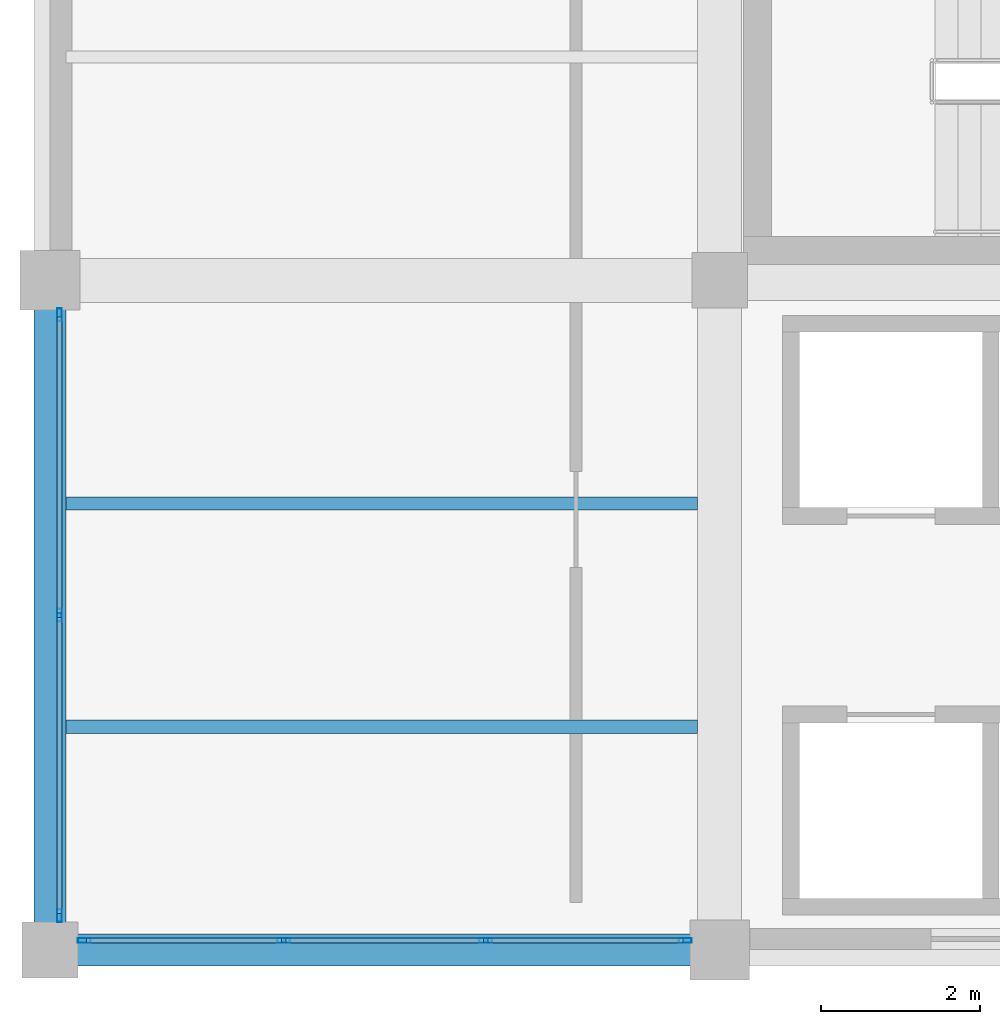
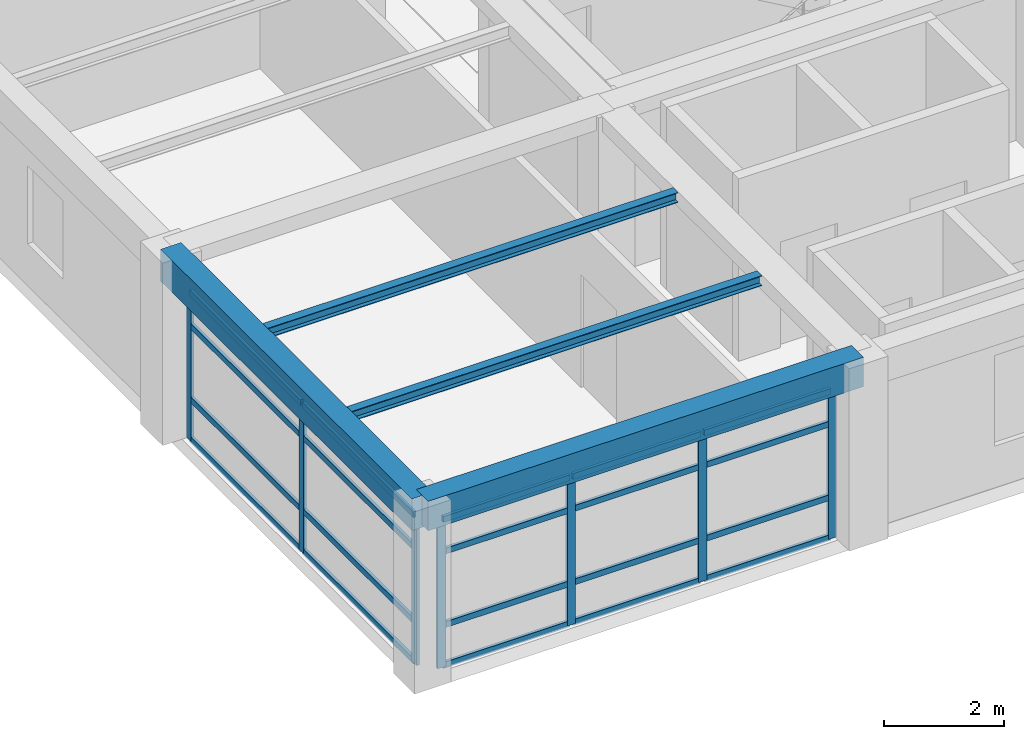
# One storey, part 2 of 26: 27 members, 4 beams, 2 elements without a shape of their own.
"""IFC4 building model written with IfcOpenShell, lengths in metres."""

import ifcopenshell
import ifcopenshell.guid

model = None  # the IFC model being written
_history = None  # IfcOwnerHistory: only IFC2X3 demands one
_inside = {}  # id of a spatial element -> (the spatial element, [elements in it])
_under = {}  # id of a project, library or spatial element -> (it, [spatial elements below it])
_declared = {}  # id of a project -> (the project, [libraries it declares])
_typed = {}  # id of a type object -> (the type object, [elements of that type])
_made_of = {}  # id of a material, layer set ... -> (it, [elements and type objects made of it])


def new_model(schema):
    """Start an empty IFC model of exactly this schema.

    Asked for "IFC4X3", IfcOpenShell would pick the latest addendum, in which some entities
    have other attributes; the version numbers below select the first issue.
    IFC2X3 requires an IfcOwnerHistory on every rooted entity: one is made here for all.
    """
    global model, _history
    if schema == "IFC4X3":
        model = ifcopenshell.file(schema_version=(4, 3, 0, 0))
    else:
        model = ifcopenshell.file(schema=schema)
    _inside.clear()
    _under.clear()
    _declared.clear()
    _typed.clear()
    _made_of.clear()
    _history = None
    if model.schema == "IFC2X3":
        org = make("IfcOrganization", Name="unknown")
        user = make(
            "IfcPersonAndOrganization",
            ThePerson=make("IfcPerson", FamilyName="unknown"),
            TheOrganization=org,
        )
        app = make(
            "IfcApplication",
            ApplicationDeveloper=org,
            Version="unknown",
            ApplicationFullName="unknown",
            ApplicationIdentifier="unknown",
        )
        _history = make(
            "IfcOwnerHistory",
            OwningUser=user,
            OwningApplication=app,
            ChangeAction="ADDED",
            CreationDate=0,
        )
    return model


def make(cls, **values):
    """One entity of the class cls with the attributes given. An attribute that is None is left unset."""
    return model.create_entity(
        cls, **{name: value for name, value in values.items() if value is not None}
    )


def rooted(cls, **values):
    """An entity with a GlobalId (a new one), such as an element, a storey or a relation."""
    return make(cls, GlobalId=ifcopenshell.guid.new(), OwnerHistory=_history, **values)


def si_unit(unit_type, name, prefix=None):
    """IfcSIUnit, for example si_unit("LENGTHUNIT", "METRE", prefix="MILLI")."""
    return make("IfcSIUnit", UnitType=unit_type, Prefix=prefix, Name=name)


def assignment(units):
    """IfcUnitAssignment: the units of a project."""
    return None if units is None else make("IfcUnitAssignment", Units=units)


def point(xyz):
    """IfcCartesianPoint."""
    return None if xyz is None else make("IfcCartesianPoint", Coordinates=xyz)


def direction(xyz):
    """IfcDirection."""
    return None if xyz is None else make("IfcDirection", DirectionRatios=xyz)


def frame(location, z_axis=None, x_axis=None):
    """IfcAxis2Placement3D, a coordinate frame: its origin and axes. An axis left out is left unset."""
    return make(
        "IfcAxis2Placement3D",
        Location=point(location),
        Axis=direction(z_axis),
        RefDirection=direction(x_axis),
    )


def frame_2d(location, x_axis=None):
    """IfcAxis2Placement2D, a coordinate frame in the plane: its origin and x axis."""
    return make(
        "IfcAxis2Placement2D", Location=point(location), RefDirection=direction(x_axis)
    )


def origin():
    """The frame at (0, 0, 0) with its axes left unset."""
    return frame((0.0, 0.0, 0.0))


def origin_2d():
    """The frame at (0, 0) in the plane with its x axis left unset."""
    return frame_2d((0.0, 0.0))


def place(relative_to, where):
    """IfcLocalPlacement: puts the frame where relative to a parent placement (None: the world)."""
    return make(
        "IfcLocalPlacement", PlacementRelTo=relative_to, RelativePlacement=where
    )


def context(
    kind, dimensions, precision=None, world=None, true_north=None, identifier=None
):
    """IfcGeometricRepresentationContext, for example the 3D "Model" context."""
    return make(
        "IfcGeometricRepresentationContext",
        ContextIdentifier=identifier,
        ContextType=kind,
        CoordinateSpaceDimension=dimensions,
        Precision=precision,
        WorldCoordinateSystem=world,
        TrueNorth=true_north,
    )


def subcontext(parent, identifier, kind, view, scale=None):
    """IfcGeometricRepresentationSubContext, for example "Body" below "Model"."""
    return make(
        "IfcGeometricRepresentationSubContext",
        ContextIdentifier=identifier,
        ContextType=kind,
        ParentContext=parent,
        TargetScale=scale,
        TargetView=view,
    )


def project(units=None, contexts=None):
    """IfcProject with its units and contexts."""
    return rooted(
        "IfcProject",
        Name="project",
        RepresentationContexts=contexts,
        UnitsInContext=assignment(units),
    )


def spatial(cls, under=None, at=None, **own):
    """A site, building, storey or space (cls), placed at a placement, below another one or the project."""
    s = rooted(cls, ObjectPlacement=at, **own)
    if under is not None:
        _under.setdefault(under.id(), (under, []))[1].append(s)
    return s


def profile(cls, at=None, kind="AREA", **sizes):
    """A parametric profile (cls). Its sizes go by their IFC names, for example OverallWidth=200.0."""
    return make(cls, ProfileType=kind, Position=at, **sizes)


def rectangle(**sizes):
    """IfcRectangleProfileDef."""
    return profile("IfcRectangleProfileDef", **sizes)


def hollow_rectangle(**sizes):
    """IfcRectangleHollowProfileDef."""
    return profile("IfcRectangleHollowProfileDef", **sizes)


def i_section(**sizes):
    """IfcIShapeProfileDef."""
    return profile("IfcIShapeProfileDef", **sizes)


def extrude(swept, where, along, depth):
    """IfcExtrudedAreaSolid: the profile swept, set in the frame where, extruded along a direction by depth."""
    return make(
        "IfcExtrudedAreaSolid",
        SweptArea=swept,
        Position=where,
        ExtrudedDirection=direction(along),
        Depth=depth,
    )


def shape(context_of_items, identifier, shape_type, items):
    """IfcShapeRepresentation: the items that make up one representation, for example the "Body"."""
    return make(
        "IfcShapeRepresentation",
        ContextOfItems=context_of_items,
        RepresentationIdentifier=identifier,
        RepresentationType=shape_type,
        Items=items,
    )


def material(Name=None, Category=None):
    """IfcMaterial."""
    return make("IfcMaterial", Name=Name, Category=Category)


def material_profile(
    of_material, cross_section, Name=None, Category=None, Priority=None
):
    """IfcMaterialProfile: a cross section and its material."""
    return make(
        "IfcMaterialProfile",
        Name=Name,
        Material=of_material,
        Profile=cross_section,
        Priority=Priority,
        Category=Category,
    )


def profile_set(profiles, Name=None, composite=None):
    """IfcMaterialProfileSet."""
    return make(
        "IfcMaterialProfileSet",
        Name=Name,
        MaterialProfiles=profiles,
        CompositeProfile=composite,
    )


def made_of(thing, what):
    """Note that an element or type object is made of a material, layer set ...; save() writes the relation."""
    if what is not None:
        _made_of.setdefault(what.id(), (what, []))[1].append(thing)
    return thing


def type_object(cls, material=None, **own):
    """A type object (cls), such as IfcWallType, which elements share."""
    return made_of(rooted(cls, **own), material)


def element(
    cls,
    number,
    at=None,
    inside=None,
    cuts=None,
    type_object=None,
    material=None,
    context=None,
    identifier="Body",
    shape_type=None,
    held_by="IfcProductDefinitionShape",
    body=None,
    shapes=None,
    **own,
):
    """One element of the class cls, such as IfcWall. Its Tag is "e" and its number.

    at: its placement. inside: the storey or other place that contains it. cuts: it is an
    opening in that element (IfcRelVoidsElement). A single representation is given by context,
    identifier, shape_type and body (its items); several are given by shapes. held_by: the class
    of the entity that holds the representations. save() writes the other relations.
    """
    e = rooted(cls, Tag="e%d" % number, ObjectPlacement=at, **own)
    if body is not None:
        shapes = [shape(context, identifier, shape_type, body)]
    if shapes is not None:
        e.Representation = make(held_by, Representations=shapes)
    if inside is not None:
        _inside.setdefault(inside.id(), (inside, []))[1].append(e)
    if cuts is not None:
        rooted(
            "IfcRelVoidsElement", RelatingBuildingElement=cuts, RelatedOpeningElement=e
        )
    if type_object is not None:
        _typed.setdefault(type_object.id(), (type_object, []))[1].append(e)
    return made_of(e, material)


def aggregate(whole, parts):
    """IfcRelAggregates: a whole, such as a stair, and the parts it consists of."""
    return rooted("IfcRelAggregates", RelatingObject=whole, RelatedObjects=parts)


def save(model, path):
    """Write the relations noted so far, then the file.

    IfcRelAggregates (storeys below a building ...), IfcRelContainedInSpatialStructure (elements
    in a storey), IfcRelDefinesByType, IfcRelAssociatesMaterial and IfcRelDeclares: one each for
    every whole, place, type object, material and project.
    """
    for whole, parts in _under.values():
        aggregate(whole, parts)
    for where, things in _inside.values():
        rooted(
            "IfcRelContainedInSpatialStructure",
            RelatedElements=things,
            RelatingStructure=where,
        )
    for kind, things in _typed.values():
        rooted("IfcRelDefinesByType", RelatedObjects=things, RelatingType=kind)
    for what, things in _made_of.values():
        rooted("IfcRelAssociatesMaterial", RelatedObjects=things, RelatingMaterial=what)
    for by, libraries in _declared.values():
        rooted("IfcRelDeclares", RelatingContext=by, RelatedDefinitions=libraries)
    model.write(path)


model = new_model("IFC4")

# Units and contexts
model_context = context("Model", 3, precision=1e-05, world=origin(), true_north=direction((0.0, 1.0)))
body_context = subcontext(model_context, "Body", "Model", "MODEL_VIEW")
ifc_project = project(units=[si_unit("LENGTHUNIT", "METRE"), si_unit("AREAUNIT", "SQUARE_METRE"), si_unit("VOLUMEUNIT", "CUBIC_METRE"), si_unit("PLANEANGLEUNIT", "RADIAN"), si_unit("MASSUNIT", "GRAM", prefix="KILO")], contexts=[model_context])

# Site, building, storey
site_placement = place(None, origin())
site = spatial("IfcSite", under=ifc_project, at=site_placement, CompositionType="ELEMENT")
building_placement = place(site_placement, origin())
building = spatial("IfcBuilding", under=site, at=building_placement, Name="Almacenes y Pasaje Nevantli", CompositionType="ELEMENT")
storey_placement = place(building_placement, frame((0.0, 0.0, 38.699951171875)))
storey = spatial("IfcBuildingStorey", under=building, at=storey_placement, Name="L09", CompositionType="ELEMENT", Elevation=38.699951171875)

# Beams
ifc_material_1 = material(Name="Concrete C35/45", Category="concrete")
ifc_material_profile_1 = material_profile(ifc_material_1, rectangle(XDim=0.39990234375, YDim=0.60009765625, at=origin_2d()), Name="RC-BM-400x600")
ifc_profile_set_1 = profile_set([ifc_material_profile_1], Name="Concrete C35/45")
beam_type_1 = type_object("IfcBeamType", Name="BM-RC-400x600", PredefinedType="SPANDREL", material=ifc_profile_set_1)
beam_1_placement = place(storey_placement, frame((109.199951171875, 67.199951171875, 3.420166015625), z_axis=(1.0, 0.0, 0.0), x_axis=(0.0, 1.0, 0.0)))
element("IfcBeam", 1, at=beam_1_placement, inside=storey, type_object=beam_type_1, Name="L09 East-West Reinforced Concrete Beam #3741", PredefinedType="SPANDREL", context=body_context, shape_type="SweptSolid", body=[
    extrude(rectangle(XDim=0.39990234375, YDim=0.60009765625, at=origin_2d()), origin(), (0.0, 0.0, 1.0), 8.400146484375),
])
ifc_material_2 = material(Name="Concrete C35/45", Category="concrete")
ifc_material_profile_2 = material_profile(ifc_material_2, rectangle(XDim=0.39990234375, YDim=0.64990234375, at=origin_2d()), Name="RC-BM-400x650")
ifc_profile_set_2 = profile_set([ifc_material_profile_2], Name="Concrete C35/45")
beam_type_2 = type_object("IfcBeamType", Name="BM-RC-400x650", PredefinedType="SPANDREL", material=ifc_profile_set_2)
beam_2_placement = place(storey_placement, frame((109.199951171875, 67.199951171875, 3.39501953125), z_axis=(0.0, 1.0, 0.0), x_axis=(-1.0, 0.0, 0.0)))
element("IfcBeam", 2, at=beam_2_placement, inside=storey, type_object=beam_type_2, Name="L09 North-South Reinforced Concrete Beam #3771", PredefinedType="SPANDREL", context=body_context, shape_type="SweptSolid", body=[
    extrude(rectangle(XDim=0.39990234375, YDim=0.64990234375, at=origin_2d()), origin(), (0.0, 0.0, 1.0), 8.400146484375),
])
ifc_material_3 = material(Name="Steel ASTM A992", Category="steel")
ifc_material_profile_3 = material_profile(ifc_material_3, i_section(OverallWidth=0.166015625, OverallDepth=0.205078125, WebThickness=0.007080078125, FlangeThickness=0.01171875, at=origin_2d()), Name="IR 203x41.7")
ifc_profile_set_3 = profile_set([ifc_material_profile_3], Name="Steel ASTM A992")
beam_type_3 = type_object("IfcBeamType", Name="BM-STL-IR-203x41p7", PredefinedType="JOIST", material=ifc_profile_set_3)
for number, where, z_axis, x_axis, name in (
    (3, (109.39990234375, 70.0, 3.609619140625), (1.0, 0.0, 0.0), (0.0, 1.0, 0.0), "L09 Secondary Steel Floor Joist #1455"),
    (4, (109.39990234375, 72.800048828125, 3.609619140625), (1.0, 0.0, 0.0), (0.0, 1.0, 0.0), "L09 Secondary Steel Floor Joist #1456"),
):
    element("IfcBeam", number, at=place(storey_placement, frame(where, z_axis=z_axis, x_axis=x_axis)), inside=storey, type_object=beam_type_3, Name=name, PredefinedType="JOIST", context=body_context, shape_type="SweptSolid", body=[
        extrude(i_section(OverallWidth=0.166015625, OverallDepth=0.205078125, WebThickness=0.007080078125, FlangeThickness=0.01171875, at=origin_2d()), origin(), (0.0, 0.0, 1.0), 7.925048828125),
    ])

# Curtain wall, members
ifc_material_4 = material(Name="Thermally Broken Aluminium and Low-E Glass", Category="aluminium")
curtain_wall_type = type_object("IfcCurtainWallType", Name="CW-UNIT-TOWER", PredefinedType="USERDEFINED", material=ifc_material_4)
curtain_wall_1_placement = place(storey_placement, origin())
curtain_wall_1 = element("IfcCurtainWall", 5, at=curtain_wall_1_placement, inside=storey, type_object=curtain_wall_type, Name="L09 Tower South Unitized Curtain Wall Bay 14", ObjectType="UNITIZED CURTAIN WALL", PredefinedType="USERDEFINED")
ifc_material_5 = material(Name="Thermally Broken Anodized Aluminium", Category="aluminium")
ifc_material_profile_4 = material_profile(ifc_material_5, hollow_rectangle(XDim=0.06005859375, YDim=0.159912109375, WallThickness=0.00390625, at=origin_2d()), Name="ALU-MUL-60x160")
ifc_profile_set_4 = profile_set([ifc_material_profile_4], Name="Thermally Broken Anodized Aluminium")
member_type_1 = type_object("IfcMemberType", Name="CW-MUL-180", PredefinedType="MULLION", material=ifc_profile_set_4)
member_1_placement = place(storey_placement, frame((109.6298828125, 67.320068359375, 0.0), z_axis=(0.0, 0.0, 1.0), x_axis=(0.0, 1.0, 0.0)))
member_1 = element("IfcMember", 6, at=member_1_placement, type_object=member_type_1, Name="CW-L09-131 mullion 1", PredefinedType="MULLION", context=body_context, shape_type="SweptSolid", body=[
    extrude(hollow_rectangle(XDim=0.06005859375, YDim=0.159912109375, WallThickness=0.00390625, at=origin_2d()), origin(), (0.0, 0.0, 1.0), 3.0400390625),
])
member_2_placement = place(storey_placement, frame((112.13330078125, 67.320068359375, 0.0), z_axis=(0.0, 0.0, 1.0), x_axis=(0.0, 1.0, 0.0)))
member_2 = element("IfcMember", 7, at=member_2_placement, type_object=member_type_1, Name="CW-L09-131 mullion 2", PredefinedType="MULLION", context=body_context, shape_type="SweptSolid", body=[
    extrude(hollow_rectangle(XDim=0.06005859375, YDim=0.159912109375, WallThickness=0.00390625, at=origin_2d()), origin(), (0.0, 0.0, 1.0), 3.0400390625),
])
member_3_placement = place(storey_placement, frame((114.666748046875, 67.320068359375, 0.0), z_axis=(0.0, 0.0, 1.0), x_axis=(0.0, 1.0, 0.0)))
member_3 = element("IfcMember", 8, at=member_3_placement, type_object=member_type_1, Name="CW-L09-131 mullion 3", PredefinedType="MULLION", context=body_context, shape_type="SweptSolid", body=[
    extrude(hollow_rectangle(XDim=0.06005859375, YDim=0.159912109375, WallThickness=0.00390625, at=origin_2d()), origin(), (0.0, 0.0, 1.0), 3.0400390625),
])
member_4_placement = place(storey_placement, frame((117.169921875, 67.320068359375, 0.0), z_axis=(0.0, 0.0, 1.0), x_axis=(0.0, 1.0, 0.0)))
member_4 = element("IfcMember", 9, at=member_4_placement, type_object=member_type_1, Name="CW-L09-131 mullion 4", PredefinedType="MULLION", context=body_context, shape_type="SweptSolid", body=[
    extrude(hollow_rectangle(XDim=0.06005859375, YDim=0.159912109375, WallThickness=0.00390625, at=origin_2d()), origin(), (0.0, 0.0, 1.0), 3.0400390625),
])

curtain_wall_2_placement = place(storey_placement, origin())
curtain_wall_2 = element("IfcCurtainWall", 10, at=curtain_wall_2_placement, inside=storey, type_object=curtain_wall_type, Name="L09 Tower West Curtain Wall Bay 9", ObjectType="UNITIZED CURTAIN WALL", PredefinedType="USERDEFINED")
member_5_placement = place(storey_placement, frame((109.320068359375, 67.6298828125, 0.0), z_axis=(0.0, 0.0, 1.0), x_axis=(-1.0, 0.0, 0.0)))
member_5 = element("IfcMember", 11, at=member_5_placement, type_object=member_type_1, Name="CW-L09-137 mullion 1", PredefinedType="MULLION", context=body_context, shape_type="SweptSolid", body=[
    extrude(hollow_rectangle(XDim=0.06005859375, YDim=0.159912109375, WallThickness=0.00390625, at=origin_2d()), origin(), (0.0, 0.0, 1.0), 3.0400390625),
])
member_6_placement = place(storey_placement, frame((109.320068359375, 71.39990234375, 0.0), z_axis=(0.0, 0.0, 1.0), x_axis=(-1.0, 0.0, 0.0)))
member_6 = element("IfcMember", 12, at=member_6_placement, type_object=member_type_1, Name="CW-L09-137 mullion 2", PredefinedType="MULLION", context=body_context, shape_type="SweptSolid", body=[
    extrude(hollow_rectangle(XDim=0.06005859375, YDim=0.159912109375, WallThickness=0.00390625, at=origin_2d()), origin(), (0.0, 0.0, 1.0), 3.0400390625),
])
member_7_placement = place(storey_placement, frame((109.320068359375, 75.169921875, 0.0), z_axis=(0.0, 0.0, 1.0), x_axis=(-1.0, 0.0, 0.0)))
member_7 = element("IfcMember", 13, at=member_7_placement, type_object=member_type_1, Name="CW-L09-137 mullion 3", PredefinedType="MULLION", context=body_context, shape_type="SweptSolid", body=[
    extrude(hollow_rectangle(XDim=0.06005859375, YDim=0.159912109375, WallThickness=0.00390625, at=origin_2d()), origin(), (0.0, 0.0, 1.0), 3.0400390625),
])

# Member
ifc_material_6 = material(Name="Thermally Broken Anodized Aluminium", Category="aluminium")
ifc_material_profile_5 = material_profile(ifc_material_6, hollow_rectangle(XDim=0.06005859375, YDim=0.1201171875, WallThickness=0.00341796875, at=origin_2d()), Name="ALU-TRN-60x120")
ifc_profile_set_5 = profile_set([ifc_material_profile_5], Name="Thermally Broken Anodized Aluminium")
member_type_2 = type_object("IfcMemberType", Name="CW-TRN-130", PredefinedType="USERDEFINED", material=ifc_profile_set_5)
member_8_placement = place(storey_placement, frame((109.659912109375, 67.320068359375, 0.030029296875), z_axis=(1.0, 0.0, 0.0), x_axis=(0.0, 1.0, 0.0)))
member_8 = element("IfcMember", 14, at=member_8_placement, type_object=member_type_2, Name="CW-L09-131 transom 1.1", ObjectType="TRANSOM", PredefinedType="USERDEFINED", context=body_context, shape_type="SweptSolid", body=[
    extrude(hollow_rectangle(XDim=0.06005859375, YDim=0.1201171875, WallThickness=0.00341796875, at=origin_2d()), origin(), (0.0, 0.0, 1.0), 2.443359375),
])

member_9_placement = place(storey_placement, frame((109.659912109375, 67.320068359375, 0.85009765625), z_axis=(1.0, 0.0, 0.0), x_axis=(0.0, 1.0, 0.0)))
member_9 = element("IfcMember", 15, at=member_9_placement, type_object=member_type_2, Name="CW-L09-131 transom 1.2", ObjectType="TRANSOM", PredefinedType="USERDEFINED", context=body_context, shape_type="SweptSolid", body=[
    extrude(hollow_rectangle(XDim=0.06005859375, YDim=0.1201171875, WallThickness=0.00341796875, at=origin_2d()), origin(), (0.0, 0.0, 1.0), 2.443359375),
])

member_10_placement = place(storey_placement, frame((109.659912109375, 67.320068359375, 2.35009765625), z_axis=(1.0, 0.0, 0.0), x_axis=(0.0, 1.0, 0.0)))
member_10 = element("IfcMember", 16, at=member_10_placement, type_object=member_type_2, Name="CW-L09-131 transom 1.3", ObjectType="TRANSOM", PredefinedType="USERDEFINED", context=body_context, shape_type="SweptSolid", body=[
    extrude(hollow_rectangle(XDim=0.06005859375, YDim=0.1201171875, WallThickness=0.00341796875, at=origin_2d()), origin(), (0.0, 0.0, 1.0), 2.443359375),
])

member_11_placement = place(storey_placement, frame((109.659912109375, 67.320068359375, 3.010009765625), z_axis=(1.0, 0.0, 0.0), x_axis=(0.0, 1.0, 0.0)))
member_11 = element("IfcMember", 17, at=member_11_placement, type_object=member_type_2, Name="CW-L09-131 transom 1.4", ObjectType="TRANSOM", PredefinedType="USERDEFINED", context=body_context, shape_type="SweptSolid", body=[
    extrude(hollow_rectangle(XDim=0.06005859375, YDim=0.1201171875, WallThickness=0.00341796875, at=origin_2d()), origin(), (0.0, 0.0, 1.0), 2.443359375),
])

member_12_placement = place(storey_placement, frame((112.163330078125, 67.320068359375, 0.030029296875), z_axis=(1.0, 0.0, 0.0), x_axis=(0.0, 1.0, 0.0)))
member_12 = element("IfcMember", 18, at=member_12_placement, type_object=member_type_2, Name="CW-L09-131 transom 2.1", ObjectType="TRANSOM", PredefinedType="USERDEFINED", context=body_context, shape_type="SweptSolid", body=[
    extrude(hollow_rectangle(XDim=0.06005859375, YDim=0.1201171875, WallThickness=0.00341796875, at=origin_2d()), origin(), (0.0, 0.0, 1.0), 2.473388671875),
])

member_13_placement = place(storey_placement, frame((112.163330078125, 67.320068359375, 0.85009765625), z_axis=(1.0, 0.0, 0.0), x_axis=(0.0, 1.0, 0.0)))
member_13 = element("IfcMember", 19, at=member_13_placement, type_object=member_type_2, Name="CW-L09-131 transom 2.2", ObjectType="TRANSOM", PredefinedType="USERDEFINED", context=body_context, shape_type="SweptSolid", body=[
    extrude(hollow_rectangle(XDim=0.06005859375, YDim=0.1201171875, WallThickness=0.00341796875, at=origin_2d()), origin(), (0.0, 0.0, 1.0), 2.473388671875),
])

member_14_placement = place(storey_placement, frame((112.163330078125, 67.320068359375, 2.35009765625), z_axis=(1.0, 0.0, 0.0), x_axis=(0.0, 1.0, 0.0)))
member_14 = element("IfcMember", 20, at=member_14_placement, type_object=member_type_2, Name="CW-L09-131 transom 2.3", ObjectType="TRANSOM", PredefinedType="USERDEFINED", context=body_context, shape_type="SweptSolid", body=[
    extrude(hollow_rectangle(XDim=0.06005859375, YDim=0.1201171875, WallThickness=0.00341796875, at=origin_2d()), origin(), (0.0, 0.0, 1.0), 2.473388671875),
])

member_15_placement = place(storey_placement, frame((112.163330078125, 67.320068359375, 3.010009765625), z_axis=(1.0, 0.0, 0.0), x_axis=(0.0, 1.0, 0.0)))
member_15 = element("IfcMember", 21, at=member_15_placement, type_object=member_type_2, Name="CW-L09-131 transom 2.4", ObjectType="TRANSOM", PredefinedType="USERDEFINED", context=body_context, shape_type="SweptSolid", body=[
    extrude(hollow_rectangle(XDim=0.06005859375, YDim=0.1201171875, WallThickness=0.00341796875, at=origin_2d()), origin(), (0.0, 0.0, 1.0), 2.473388671875),
])

member_16_placement = place(storey_placement, frame((114.69677734375, 67.320068359375, 0.030029296875), z_axis=(1.0, 0.0, 0.0), x_axis=(0.0, 1.0, 0.0)))
member_16 = element("IfcMember", 22, at=member_16_placement, type_object=member_type_2, Name="CW-L09-131 transom 3.1", ObjectType="TRANSOM", PredefinedType="USERDEFINED", context=body_context, shape_type="SweptSolid", body=[
    extrude(hollow_rectangle(XDim=0.06005859375, YDim=0.1201171875, WallThickness=0.00341796875, at=origin_2d()), origin(), (0.0, 0.0, 1.0), 2.443115234375),
])

member_17_placement = place(storey_placement, frame((114.69677734375, 67.320068359375, 0.85009765625), z_axis=(1.0, 0.0, 0.0), x_axis=(0.0, 1.0, 0.0)))
member_17 = element("IfcMember", 23, at=member_17_placement, type_object=member_type_2, Name="CW-L09-131 transom 3.2", ObjectType="TRANSOM", PredefinedType="USERDEFINED", context=body_context, shape_type="SweptSolid", body=[
    extrude(hollow_rectangle(XDim=0.06005859375, YDim=0.1201171875, WallThickness=0.00341796875, at=origin_2d()), origin(), (0.0, 0.0, 1.0), 2.443115234375),
])

member_18_placement = place(storey_placement, frame((114.69677734375, 67.320068359375, 2.35009765625), z_axis=(1.0, 0.0, 0.0), x_axis=(0.0, 1.0, 0.0)))
member_18 = element("IfcMember", 24, at=member_18_placement, type_object=member_type_2, Name="CW-L09-131 transom 3.3", ObjectType="TRANSOM", PredefinedType="USERDEFINED", context=body_context, shape_type="SweptSolid", body=[
    extrude(hollow_rectangle(XDim=0.06005859375, YDim=0.1201171875, WallThickness=0.00341796875, at=origin_2d()), origin(), (0.0, 0.0, 1.0), 2.443115234375),
])

member_19_placement = place(storey_placement, frame((114.69677734375, 67.320068359375, 3.010009765625), z_axis=(1.0, 0.0, 0.0), x_axis=(0.0, 1.0, 0.0)))
member_19 = element("IfcMember", 25, at=member_19_placement, type_object=member_type_2, Name="CW-L09-131 transom 3.4", ObjectType="TRANSOM", PredefinedType="USERDEFINED", context=body_context, shape_type="SweptSolid", body=[
    extrude(hollow_rectangle(XDim=0.06005859375, YDim=0.1201171875, WallThickness=0.00341796875, at=origin_2d()), origin(), (0.0, 0.0, 1.0), 2.443115234375),
])

aggregate(curtain_wall_1, [member_1, member_2, member_3, member_4, member_8, member_9, member_10, member_11, member_12, member_13, member_14, member_15, member_16, member_17, member_18, member_19])

member_20_placement = place(storey_placement, frame((109.320068359375, 67.659912109375, 0.030029296875), z_axis=(0.0, 1.0, 0.0), x_axis=(-1.0, 0.0, 0.0)))
member_20 = element("IfcMember", 26, at=member_20_placement, type_object=member_type_2, Name="CW-L09-137 transom 1.1", ObjectType="TRANSOM", PredefinedType="USERDEFINED", context=body_context, shape_type="SweptSolid", body=[
    extrude(hollow_rectangle(XDim=0.06005859375, YDim=0.1201171875, WallThickness=0.00341796875, at=origin_2d()), origin(), (0.0, 0.0, 1.0), 3.710205078125),
])

member_21_placement = place(storey_placement, frame((109.320068359375, 67.659912109375, 0.85009765625), z_axis=(0.0, 1.0, 0.0), x_axis=(-1.0, 0.0, 0.0)))
member_21 = element("IfcMember", 27, at=member_21_placement, type_object=member_type_2, Name="CW-L09-137 transom 1.2", ObjectType="TRANSOM", PredefinedType="USERDEFINED", context=body_context, shape_type="SweptSolid", body=[
    extrude(hollow_rectangle(XDim=0.06005859375, YDim=0.1201171875, WallThickness=0.00341796875, at=origin_2d()), origin(), (0.0, 0.0, 1.0), 3.710205078125),
])

member_22_placement = place(storey_placement, frame((109.320068359375, 67.659912109375, 2.35009765625), z_axis=(0.0, 1.0, 0.0), x_axis=(-1.0, 0.0, 0.0)))
member_22 = element("IfcMember", 28, at=member_22_placement, type_object=member_type_2, Name="CW-L09-137 transom 1.3", ObjectType="TRANSOM", PredefinedType="USERDEFINED", context=body_context, shape_type="SweptSolid", body=[
    extrude(hollow_rectangle(XDim=0.06005859375, YDim=0.1201171875, WallThickness=0.00341796875, at=origin_2d()), origin(), (0.0, 0.0, 1.0), 3.710205078125),
])

member_23_placement = place(storey_placement, frame((109.320068359375, 67.659912109375, 3.010009765625), z_axis=(0.0, 1.0, 0.0), x_axis=(-1.0, 0.0, 0.0)))
member_23 = element("IfcMember", 29, at=member_23_placement, type_object=member_type_2, Name="CW-L09-137 transom 1.4", ObjectType="TRANSOM", PredefinedType="USERDEFINED", context=body_context, shape_type="SweptSolid", body=[
    extrude(hollow_rectangle(XDim=0.06005859375, YDim=0.1201171875, WallThickness=0.00341796875, at=origin_2d()), origin(), (0.0, 0.0, 1.0), 3.710205078125),
])

member_24_placement = place(storey_placement, frame((109.320068359375, 71.429931640625, 0.030029296875), z_axis=(0.0, 1.0, 0.0), x_axis=(-1.0, 0.0, 0.0)))
member_24 = element("IfcMember", 30, at=member_24_placement, type_object=member_type_2, Name="CW-L09-137 transom 2.1", ObjectType="TRANSOM", PredefinedType="USERDEFINED", context=body_context, shape_type="SweptSolid", body=[
    extrude(hollow_rectangle(XDim=0.06005859375, YDim=0.1201171875, WallThickness=0.00341796875, at=origin_2d()), origin(), (0.0, 0.0, 1.0), 3.7099609375),
])

member_25_placement = place(storey_placement, frame((109.320068359375, 71.429931640625, 0.85009765625), z_axis=(0.0, 1.0, 0.0), x_axis=(-1.0, 0.0, 0.0)))
member_25 = element("IfcMember", 31, at=member_25_placement, type_object=member_type_2, Name="CW-L09-137 transom 2.2", ObjectType="TRANSOM", PredefinedType="USERDEFINED", context=body_context, shape_type="SweptSolid", body=[
    extrude(hollow_rectangle(XDim=0.06005859375, YDim=0.1201171875, WallThickness=0.00341796875, at=origin_2d()), origin(), (0.0, 0.0, 1.0), 3.7099609375),
])

member_26_placement = place(storey_placement, frame((109.320068359375, 71.429931640625, 2.35009765625), z_axis=(0.0, 1.0, 0.0), x_axis=(-1.0, 0.0, 0.0)))
member_26 = element("IfcMember", 32, at=member_26_placement, type_object=member_type_2, Name="CW-L09-137 transom 2.3", ObjectType="TRANSOM", PredefinedType="USERDEFINED", context=body_context, shape_type="SweptSolid", body=[
    extrude(hollow_rectangle(XDim=0.06005859375, YDim=0.1201171875, WallThickness=0.00341796875, at=origin_2d()), origin(), (0.0, 0.0, 1.0), 3.7099609375),
])

member_27_placement = place(storey_placement, frame((109.320068359375, 71.429931640625, 3.010009765625), z_axis=(0.0, 1.0, 0.0), x_axis=(-1.0, 0.0, 0.0)))
member_27 = element("IfcMember", 33, at=member_27_placement, type_object=member_type_2, Name="CW-L09-137 transom 2.4", ObjectType="TRANSOM", PredefinedType="USERDEFINED", context=body_context, shape_type="SweptSolid", body=[
    extrude(hollow_rectangle(XDim=0.06005859375, YDim=0.1201171875, WallThickness=0.00341796875, at=origin_2d()), origin(), (0.0, 0.0, 1.0), 3.7099609375),
])

aggregate(curtain_wall_2, [member_5, member_6, member_7, member_20, member_21, member_22, member_23, member_24, member_25, member_26, member_27])

save(model, "model.ifc")
